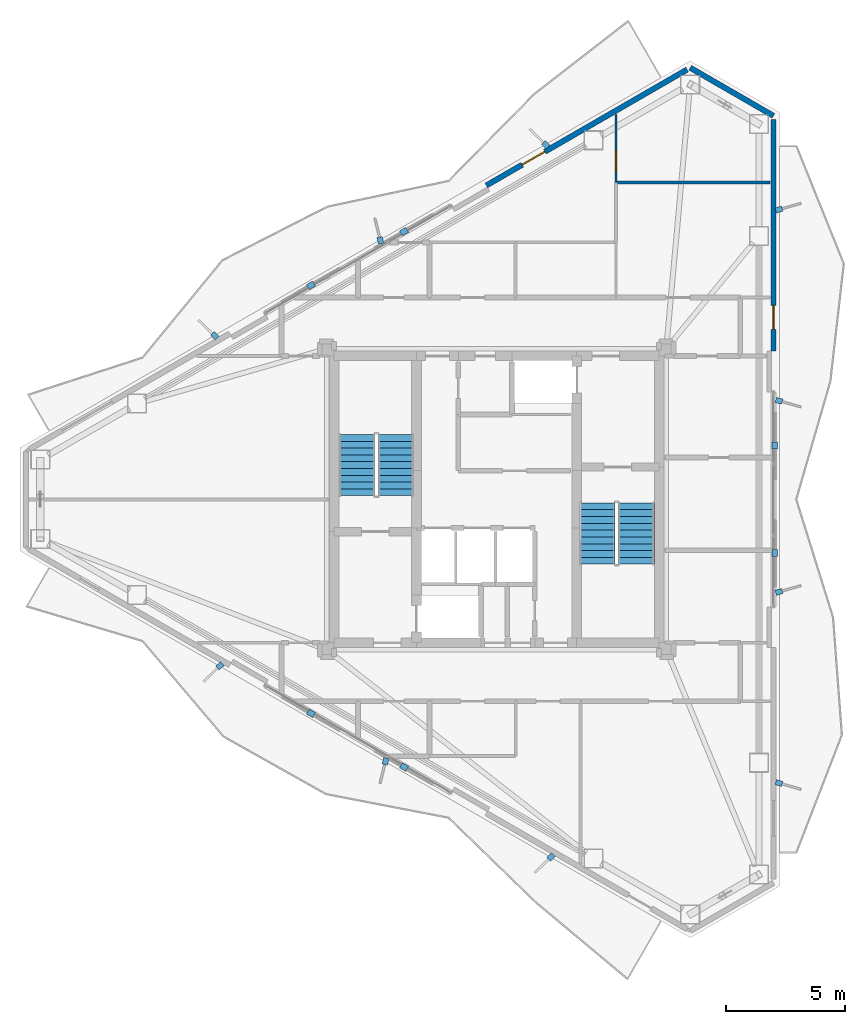
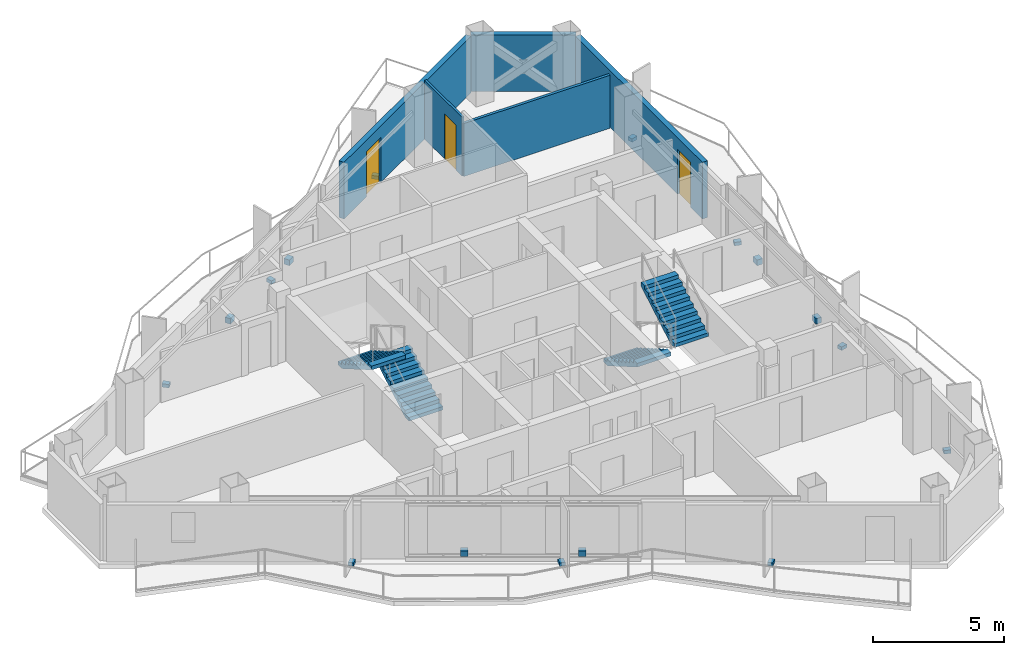
# One storey, part 19 of 21: 16 discrete accessories, 5 walls, 4 stair flights, 3 doors, 3 openings, 2 elements without a shape of their own.
"""IFC4 building model written with IfcOpenShell, lengths in metres."""

from ifc_helpers import new_model, si_unit, direction, frame, frame_2d, origin, origin_2d, place, context, subcontext, project, spatial, polyline, rectangle, outline, extrude, material, layer, layer_set, type_object, element, fill, aggregate, save


model = new_model("IFC4")

# Units and contexts
model_context = context("Model", 3, precision=1e-05, world=origin(), true_north=direction((0.0, 1.0)))
body_context = subcontext(model_context, "Body", "Model", "MODEL_VIEW")
ifc_project = project(units=[si_unit("LENGTHUNIT", "METRE"), si_unit("AREAUNIT", "SQUARE_METRE"), si_unit("VOLUMEUNIT", "CUBIC_METRE"), si_unit("PLANEANGLEUNIT", "RADIAN"), si_unit("MASSUNIT", "GRAM", prefix="KILO")], contexts=[model_context])

# Site, building, storey
site_placement = place(None, origin())
site = spatial("IfcSite", under=ifc_project, at=site_placement, CompositionType="ELEMENT")
building_placement = place(site_placement, origin())
building = spatial("IfcBuilding", under=site, at=building_placement, Name="Mersakhor Tower and Convention Hall", CompositionType="ELEMENT")
storey_placement = place(building_placement, frame((0.0, 0.0, 215.10009765625)))
storey = spatial("IfcBuildingStorey", under=building, at=storey_placement, Name="L60", CompositionType="ELEMENT", Elevation=215.10009765625)

# Wall
ifc_material_1 = material(Name="Precast concrete C40/50", Category="concrete")
ifc_layer_1 = layer(ifc_material_1, 0.22509765625)
ifc_layer_set_1 = layer_set([ifc_layer_1], Name="Precast concrete C40/50")
wall_type_1 = type_object("IfcWallType", Name="WL-EXT-225", PredefinedType="SOLIDWALL", material=ifc_layer_set_1)
wall_1_placement = place(storey_placement, frame((37.10400390625, 44.81005859375, 0.0), z_axis=(0.0, 0.0, 1.0), x_axis=(0.866023907196, -0.500002592159, 0.0)))
element("IfcWall", 1, at=wall_1_placement, inside=storey, type_object=wall_type_1, Name="L60 Chamfer Braced Spandrel Wall C1", PredefinedType="SOLIDWALL", context=body_context, shape_type="SweptSolid", body=[
    extrude(rectangle(XDim=4.0234375, YDim=0.22509765625, at=frame_2d((2.01171875, 0.0))), origin(), (0.0, 0.0, 1.0), 2.639892578125),
])

# Wall, opening, door
wall_2_placement = place(storey_placement, frame((28.57470703125, 39.885498046875, 0.0), z_axis=(0.0, 0.0, 1.0), x_axis=(0.866016233231, 0.500015883528, 0.0)))
wall_2 = element("IfcWall", 2, at=wall_2_placement, inside=storey, type_object=wall_type_1, Name="L60 Exterior Facade Wall F1-B3", PredefinedType="SOLIDWALL", context=body_context, shape_type="SweptSolid", body=[
    extrude(rectangle(XDim=9.698974609375, YDim=0.22509765625, at=frame_2d((4.849609375, 0.0))), origin(), (0.0, 0.0, 1.0), 2.639892578125),
])
opening_1_placement = place(wall_2_placement, frame((1.72998046875, 0.0, 0.0)))
opening_1 = element("IfcOpeningElement", 3, at=opening_1_placement, cuts=wall_2, Name="Opening BD-02", PredefinedType="OPENING", context=body_context, shape_type="SweptSolid", body=[
    extrude(rectangle(XDim=1.10009765625, YDim=2.10009765625, at=frame_2d((0.550048828125, 1.050048828125))), frame((0.0, 0.12255859375, 0.0), z_axis=(0.0, -1.0, 0.0), x_axis=(1.0, 0.0, 0.0)), (0.0, 0.0, 1.0), 0.2451171875),
])
ifc_material_2 = material(Name="Thermally broken dark aluminium and safety glass", Category="aluminium")
door_type_1 = type_object("IfcDoorType", Name="DR-BAL-110x210", OperationType="NOTDEFINED", PredefinedType="DOOR", material=ifc_material_2)
door_1_placement = place(opening_1_placement, origin())
door_1 = element("IfcDoor", 4, at=door_1_placement, inside=storey, type_object=door_type_1, Name="L60 Balcony Terrace Door F1-B3", OperationType="SINGLE_SWING_RIGHT", OverallHeight=2.10009765625, OverallWidth=1.10009765625, PredefinedType="DOOR", context=body_context, shape_type="SweptSolid", body=[
    extrude(rectangle(XDim=1.10009765625, YDim=2.10009765625, at=frame_2d((0.550048828125, 1.050048828125))), frame((0.0, 0.02490234375, 0.0), z_axis=(0.0, -1.0, 0.0), x_axis=(1.0, 0.0, 0.0)), (0.0, 0.0, 1.0), 0.050048828125),
])
fill(opening_1, door_1)

wall_3_placement = place(storey_placement, frame((40.58837890625, 42.6484375, 0.0), z_axis=(0.0, 0.0, 1.0), x_axis=(0.0, -1.0, 0.0)))
wall_3 = element("IfcWall", 5, at=wall_3_placement, inside=storey, type_object=wall_type_1, Name="L60 Exterior Facade Wall F2-B1", PredefinedType="SOLIDWALL", context=body_context, shape_type="SweptSolid", body=[
    extrude(rectangle(XDim=9.698974609375, YDim=0.22509765625, at=frame_2d((4.849609375, 0.0))), origin(), (0.0, 0.0, 1.0), 2.639892578125),
])
opening_2_placement = place(wall_3_placement, frame((7.783935546875, 0.0, 0.0)))
opening_2 = element("IfcOpeningElement", 6, at=opening_2_placement, cuts=wall_3, Name="Opening BD-01", PredefinedType="OPENING", context=body_context, shape_type="SweptSolid", body=[
    extrude(rectangle(XDim=1.0, YDim=2.10009765625, at=frame_2d((0.5, 1.050048828125))), frame((0.0, 0.12255859375, 0.0), z_axis=(0.0, -1.0, 0.0), x_axis=(1.0, 0.0, 0.0)), (0.0, 0.0, 1.0), 0.2451171875),
])
ifc_material_3 = material(Name="Thermally broken dark aluminium and safety glass", Category="aluminium")
door_type_2 = type_object("IfcDoorType", Name="DR-BAL-100x210", OperationType="NOTDEFINED", PredefinedType="DOOR", material=ifc_material_3)
door_2_placement = place(opening_2_placement, origin())
door_2 = element("IfcDoor", 7, at=door_2_placement, inside=storey, type_object=door_type_2, Name="L60 Balcony Terrace Door F2-B1", OperationType="SINGLE_SWING_LEFT", OverallHeight=2.10009765625, OverallWidth=1.0, PredefinedType="DOOR", context=body_context, shape_type="SweptSolid", body=[
    extrude(rectangle(XDim=1.0, YDim=2.10009765625, at=frame_2d((0.5, 1.050048828125))), frame((0.0, 0.02490234375, 0.0), z_axis=(0.0, -1.0, 0.0), x_axis=(1.0, 0.0, 0.0)), (0.0, 0.0, 1.0), 0.050048828125),
])
fill(opening_2, door_2)

ifc_material_4 = material(Name="Lightweight gypsum partition", Category="other")
ifc_layer_2 = layer(ifc_material_4, 0.10009765625)
ifc_layer_set_2 = layer_set([ifc_layer_2], Name="Lightweight gypsum partition")
wall_type_2 = type_object("IfcWallType", Name="WL-PRT-100", PredefinedType="PARTITIONING", material=ifc_layer_set_2)
wall_4_placement = place(storey_placement, frame((34.0, 42.860107421875, 0.0), z_axis=(0.0, 0.0, 1.0), x_axis=(0.0, -1.0, 0.0)))
wall_4 = element("IfcWall", 8, at=wall_4_placement, inside=storey, type_object=wall_type_2, Name="L60 Interior Partition Wall P-066", PredefinedType="PARTITIONING", context=body_context, shape_type="SweptSolid", body=[
    extrude(rectangle(XDim=2.85009765625, YDim=0.10009765625, at=frame_2d((1.425048828125, 0.0))), origin(), (0.0, 0.0, 1.0), 2.74462890625),
])
opening_3_placement = place(wall_4_placement, frame((1.51220703125, 0.0, 0.0)))
opening_3 = element("IfcOpeningElement", 9, at=opening_3_placement, cuts=wall_4, Name="Opening WD-01", PredefinedType="OPENING", context=body_context, shape_type="SweptSolid", body=[
    extrude(rectangle(XDim=0.89990234375, YDim=2.10009765625, at=frame_2d((0.449951171875, 1.050048828125))), frame((0.0, 0.06005859375, 0.0), z_axis=(0.0, -1.0, 0.0), x_axis=(1.0, 0.0, 0.0)), (0.0, 0.0, 1.0), 0.1201171875),
])
ifc_material_5 = material(Name="Solid-core hardwood leaf in painted steel frame", Category="steel")
door_type_3 = type_object("IfcDoorType", Name="DR-INT-WET-090x210", OperationType="NOTDEFINED", PredefinedType="DOOR", material=ifc_material_5)
door_3_placement = place(opening_3_placement, origin())
door_3 = element("IfcDoor", 10, at=door_3_placement, inside=storey, type_object=door_type_3, Name="L60 L60 Floor Residents Study Room 1-3 to L60 Floor Residents Study Room 1-5 Door", OperationType="SINGLE_SWING_LEFT", OverallHeight=2.10009765625, OverallWidth=0.89990234375, PredefinedType="DOOR", context=body_context, shape_type="SweptSolid", body=[
    extrude(rectangle(XDim=0.89990234375, YDim=2.10009765625, at=frame_2d((0.449951171875, 1.050048828125))), frame((0.0, 0.02490234375, 0.0), z_axis=(0.0, -1.0, 0.0), x_axis=(1.0, 0.0, 0.0)), (0.0, 0.0, 1.0), 0.050048828125),
])
fill(opening_3, door_3)

# Wall
ifc_material_6 = material(Name="Gypsum board acoustic partition", Category="other")
ifc_layer_3 = layer(ifc_material_6, 0.125)
ifc_layer_set_3 = layer_set([ifc_layer_3], Name="Gypsum board acoustic partition")
wall_type_3 = type_object("IfcWallType", Name="WL-PRT-125", PredefinedType="PARTITIONING", material=ifc_layer_set_3)
wall_5_placement = place(storey_placement, frame((34.0, 40.010009765625, 0.0), z_axis=(0.0, 0.0, 1.0), x_axis=(1.0, 0.0, 0.0)))
element("IfcWall", 11, at=wall_5_placement, inside=storey, type_object=wall_type_3, Name="L60 Interior Partition Wall P-071", PredefinedType="PARTITIONING", context=body_context, shape_type="SweptSolid", body=[
    extrude(rectangle(XDim=6.451904296875, YDim=0.125, at=frame_2d((3.22607421875, 0.0))), origin(), (0.0, 0.0, 1.0), 2.46826171875),
])

# Stair, stair flights
ifc_material_7 = material(Name="Concrete C45/55", Category="concrete")
stair_type = type_object("IfcStairType", Name="ST-TWR-20R", PredefinedType="HALF_TURN_STAIR", material=ifc_material_7)
stair_1_placement = place(storey_placement, origin())
stair_1 = element("IfcStair", 12, at=stair_1_placement, inside=storey, type_object=stair_type, Name="L60 Tower Protected Exit Stair ST-1", PredefinedType="HALF_TURN_STAIR")
ifc_material_8 = material(Name="Concrete C45/55", Category="concrete")
stair_flight_type = type_object("IfcStairFlightType", Name="SFL-TWR-20R", PredefinedType="STRAIGHT", material=ifc_material_8)
stair_flight_1_placement = place(storey_placement, frame((24.800048828125, 26.89990234375, 0.0), z_axis=(0.0, 0.0, 1.0), x_axis=(0.0, 1.0, 0.0)))
stair_flight_1 = element("IfcStairFlight", 13, at=stair_flight_1_placement, type_object=stair_flight_type, Name="ST-1 flight 1", NumberOfRisers=10, NumberOfTreads=9, PredefinedType="STRAIGHT", RiserHeight=0.165, TreadLength=0.285, context=body_context, shape_type="SweptSolid", body=[
    extrude(outline(polyline([(0.0, 0.0), (0.0, 0.1650390625), (0.284912109375, 0.1650390625), (0.284912109375, 0.330078125), (0.570068359375, 0.330078125), (0.570068359375, 0.4951171875), (0.85498046875, 0.4951171875), (0.85498046875, 0.659912109375), (1.139892578125, 0.659912109375), (1.139892578125, 0.824951171875), (1.425048828125, 0.824951171875), (1.425048828125, 0.989990234375), (1.7099609375, 0.989990234375), (1.7099609375, 1.155029296875), (1.9951171875, 1.155029296875), (1.9951171875, 1.320068359375), (2.280029296875, 1.320068359375), (2.280029296875, 1.485107421875), (2.56494140625, 1.485107421875), (2.56494140625, 1.64990234375), (2.56494140625, 1.311767578125), (0.299072265625, 0.0), (0.0, 0.0)])), frame((0.0, 0.75, 0.0), z_axis=(0.0, -1.0, 0.0), x_axis=(1.0, 0.0, 0.0)), (0.0, 0.0, 1.0), 1.5),
])
stair_flight_2_placement = place(storey_placement, frame((23.14990234375, 29.465087890625, 1.64990234375), z_axis=(0.0, 0.0, 1.0), x_axis=(0.0, -1.0, 0.0)))
stair_flight_2 = element("IfcStairFlight", 14, at=stair_flight_2_placement, type_object=stair_flight_type, Name="ST-1 flight 2", NumberOfRisers=10, NumberOfTreads=9, PredefinedType="STRAIGHT", RiserHeight=0.165, TreadLength=0.285, context=body_context, shape_type="SweptSolid", body=[
    extrude(outline(polyline([(0.0, 0.0), (0.0, 0.1650390625), (0.284912109375, 0.1650390625), (0.284912109375, 0.330078125), (0.570068359375, 0.330078125), (0.570068359375, 0.4951171875), (0.85498046875, 0.4951171875), (0.85498046875, 0.659912109375), (1.139892578125, 0.659912109375), (1.139892578125, 0.824951171875), (1.425048828125, 0.824951171875), (1.425048828125, 0.989990234375), (1.7099609375, 0.989990234375), (1.7099609375, 1.155029296875), (1.9951171875, 1.155029296875), (1.9951171875, 1.320068359375), (2.280029296875, 1.320068359375), (2.280029296875, 1.485107421875), (2.56494140625, 1.485107421875), (2.56494140625, 1.64990234375), (2.56494140625, 1.311767578125), (0.299072265625, 0.0), (0.0, 0.0)])), frame((0.0, 0.75, 0.0), z_axis=(0.0, -1.0, 0.0), x_axis=(1.0, 0.0, 0.0)), (0.0, 0.0, 1.0), 1.5),
])
aggregate(stair_1, [stair_flight_1, stair_flight_2])

stair_2_placement = place(storey_placement, origin())
stair_2 = element("IfcStair", 15, at=stair_2_placement, inside=storey, type_object=stair_type, Name="L60 Tower Protected Exit Stair ST-2", PredefinedType="HALF_TURN_STAIR")
stair_flight_3_placement = place(storey_placement, frame((33.199951171875, 26.60009765625, 0.0), z_axis=(0.0, 0.0, 1.0), x_axis=(0.0, -1.0, 0.0)))
stair_flight_3 = element("IfcStairFlight", 16, at=stair_flight_3_placement, type_object=stair_flight_type, Name="ST-2 flight 1", NumberOfRisers=10, NumberOfTreads=9, PredefinedType="STRAIGHT", RiserHeight=0.165, TreadLength=0.285, context=body_context, shape_type="SweptSolid", body=[
    extrude(outline(polyline([(0.0, 0.0), (0.0, 0.1650390625), (0.284912109375, 0.1650390625), (0.284912109375, 0.330078125), (0.570068359375, 0.330078125), (0.570068359375, 0.4951171875), (0.85498046875, 0.4951171875), (0.85498046875, 0.659912109375), (1.139892578125, 0.659912109375), (1.139892578125, 0.824951171875), (1.425048828125, 0.824951171875), (1.425048828125, 0.989990234375), (1.7099609375, 0.989990234375), (1.7099609375, 1.155029296875), (1.9951171875, 1.155029296875), (1.9951171875, 1.320068359375), (2.280029296875, 1.320068359375), (2.280029296875, 1.485107421875), (2.56494140625, 1.485107421875), (2.56494140625, 1.64990234375), (2.56494140625, 1.311767578125), (0.299072265625, 0.0), (0.0, 0.0)])), frame((0.0, 0.75, 0.0), z_axis=(0.0, -1.0, 0.0), x_axis=(1.0, 0.0, 0.0)), (0.0, 0.0, 1.0), 1.5),
])
stair_flight_4_placement = place(storey_placement, frame((34.85009765625, 24.034912109375, 1.64990234375), z_axis=(0.0, 0.0, 1.0), x_axis=(0.0, 1.0, 0.0)))
stair_flight_4 = element("IfcStairFlight", 17, at=stair_flight_4_placement, type_object=stair_flight_type, Name="ST-2 flight 2", NumberOfRisers=10, NumberOfTreads=9, PredefinedType="STRAIGHT", RiserHeight=0.165, TreadLength=0.285, context=body_context, shape_type="SweptSolid", body=[
    extrude(outline(polyline([(0.0, 0.0), (0.0, 0.1650390625), (0.284912109375, 0.1650390625), (0.284912109375, 0.330078125), (0.570068359375, 0.330078125), (0.570068359375, 0.4951171875), (0.85498046875, 0.4951171875), (0.85498046875, 0.659912109375), (1.139892578125, 0.659912109375), (1.139892578125, 0.824951171875), (1.425048828125, 0.824951171875), (1.425048828125, 0.989990234375), (1.7099609375, 0.989990234375), (1.7099609375, 1.155029296875), (1.9951171875, 1.155029296875), (1.9951171875, 1.320068359375), (2.280029296875, 1.320068359375), (2.280029296875, 1.485107421875), (2.56494140625, 1.485107421875), (2.56494140625, 1.64990234375), (2.56494140625, 1.311767578125), (0.299072265625, 0.0), (0.0, 0.0)])), frame((0.0, 0.75, 0.0), z_axis=(0.0, -1.0, 0.0), x_axis=(1.0, 0.0, 0.0)), (0.0, 0.0, 1.0), 1.5),
])
aggregate(stair_2, [stair_flight_3, stair_flight_4])

# Discrete accessories
ifc_material_9 = material(Name="Galvanised steel bracket", Category="steel")
ifc_layer_4 = layer(ifc_material_9, 0.02001953125)
ifc_layer_set_4 = layer_set([ifc_layer_4], Name="Galvanised steel bracket")
discrete_accessory_type = type_object("IfcDiscreteAccessoryType", Name="ACC-BRK-STL", PredefinedType="BRACKET", material=ifc_layer_set_4)
for number, where, z_axis, x_axis, name in (
    (18, (21.232421875, 35.704345703125, 0.2900390625), (0.0, 0.0, 1.0), (0.866025403784, 0.5, 0.0), "L60 Solar Screen Outrigger Bracket BRK-1-1"),
    (19, (25.129150390625, 37.9541015625, 0.2900390625), (0.0, 0.0, 1.0), (0.866025403784, 0.5, 0.0), "L60 Solar Screen Outrigger Bracket BRK-1-2"),
):
    element("IfcDiscreteAccessory", number, at=place(storey_placement, frame(where, z_axis=z_axis, x_axis=x_axis)), inside=storey, type_object=discrete_accessory_type, Name=name, PredefinedType="BRACKET", context=body_context, shape_type="SweptSolid", body=[
        extrude(rectangle(XDim=0.300048828125, YDim=0.239990234375, at=origin_2d()), origin(), (0.0, 0.0, 1.0), 0.260009765625),
    ])
for number, where, z_axis, x_axis, name in (
    (20, (17.2080078125, 33.588623046875, -0.02001953125), (0.0, 0.0, 1.0), (-0.719339800339, 0.694658370459, 0.0), "L60 Facade Fin Base Cleat Bracket FBRK-1-1"),
    (21, (24.13623046875, 37.588623046875, -0.02001953125), (0.0, 0.0, 1.0), (-0.2419218956, 0.970295726276, 0.0), "L60 Facade Fin Base Cleat Bracket FBRK-1-2"),
    (22, (31.064453125, 41.588623046875, -0.02001953125), (0.0, 0.0, 1.0), (-0.719339800339, 0.694658370459, 0.0), "L60 Facade Fin Base Cleat Bracket FBRK-1-3"),
):
    element("IfcDiscreteAccessory", number, at=place(storey_placement, frame(where, z_axis=z_axis, x_axis=x_axis)), inside=storey, type_object=discrete_accessory_type, Name=name, PredefinedType="BRACKET", context=body_context, shape_type="SweptSolid", body=[
        extrude(rectangle(XDim=0.280029296875, YDim=0.219970703125, at=origin_2d()), origin(), (0.0, 0.0, 1.0), 0.159912109375),
    ])
for number, where, z_axis, x_axis, name in (
    (23, (40.638427734375, 28.999755859375, 0.2900390625), (0.0, 0.0, 1.0), (0.0, -1.0, 0.0), "L60 Solar Screen Outrigger Bracket BRK-2-1"),
    (24, (40.638427734375, 24.500244140625, 0.2900390625), (0.0, 0.0, 1.0), (0.0, -1.0, 0.0), "L60 Solar Screen Outrigger Bracket BRK-2-2"),
):
    element("IfcDiscreteAccessory", number, at=place(storey_placement, frame(where, z_axis=z_axis, x_axis=x_axis)), inside=storey, type_object=discrete_accessory_type, Name=name, PredefinedType="BRACKET", context=body_context, shape_type="SweptSolid", body=[
        extrude(rectangle(XDim=0.300048828125, YDim=0.239990234375, at=origin_2d()), origin(), (0.0, 0.0, 1.0), 0.260009765625),
    ])
for number, where, z_axis, x_axis, name in (
    (25, (40.818359375, 38.8759765625, -0.02001953125), (0.0, 0.0, 1.0), (0.961261695938, 0.275637355817, 0.0), "L60 Facade Fin Base Cleat Bracket FBRK-2-1"),
    (26, (40.818359375, 30.8759765625, -0.02001953125), (0.0, 0.0, 1.0), (0.961261695938, -0.275637355817, 0.0), "L60 Facade Fin Base Cleat Bracket FBRK-2-2"),
    (27, (40.818359375, 22.8759765625, -0.02001953125), (0.0, 0.0, 1.0), (0.961261695938, 0.275637355817, 0.0), "L60 Facade Fin Base Cleat Bracket FBRK-2-3"),
    (28, (40.818359375, 14.8759765625, -0.02001953125), (0.0, 0.0, 1.0), (0.961261695938, -0.275637355817, 0.0), "L60 Facade Fin Base Cleat Bracket FBRK-2-4"),
):
    element("IfcDiscreteAccessory", number, at=place(storey_placement, frame(where, z_axis=z_axis, x_axis=x_axis)), inside=storey, type_object=discrete_accessory_type, Name=name, PredefinedType="BRACKET", context=body_context, shape_type="SweptSolid", body=[
        extrude(rectangle(XDim=0.280029296875, YDim=0.219970703125, at=origin_2d()), origin(), (0.0, 0.0, 1.0), 0.159912109375),
    ])
for number, where, z_axis, x_axis, name in (
    (29, (25.129150390625, 15.5458984375, 0.2900390625), (0.0, 0.0, 1.0), (-0.866025403784, 0.5, 0.0), "L60 Solar Screen Outrigger Bracket BRK-3-1"),
    (30, (21.232421875, 17.795654296875, 0.2900390625), (0.0, 0.0, 1.0), (-0.866025403784, 0.5, 0.0), "L60 Solar Screen Outrigger Bracket BRK-3-2"),
):
    element("IfcDiscreteAccessory", number, at=place(storey_placement, frame(where, z_axis=z_axis, x_axis=x_axis)), inside=storey, type_object=discrete_accessory_type, Name=name, PredefinedType="BRACKET", context=body_context, shape_type="SweptSolid", body=[
        extrude(rectangle(XDim=0.300048828125, YDim=0.239990234375, at=origin_2d()), origin(), (0.0, 0.0, 1.0), 0.260009765625),
    ])
for number, where, z_axis, x_axis, name in (
    (31, (31.282958984375, 11.785400390625, -0.02001953125), (0.0, 0.0, 1.0), (-0.719339800339, -0.694658370459, 0.0), "L60 Facade Fin Base Cleat Bracket FBRK-3-1"),
    (32, (24.354736328125, 15.785400390625, -0.02001953125), (0.0, 0.0, 1.0), (-0.2419218956, -0.970295726276, 0.0), "L60 Facade Fin Base Cleat Bracket FBRK-3-2"),
    (33, (17.426513671875, 19.785400390625, -0.02001953125), (0.0, 0.0, 1.0), (-0.719339800339, -0.694658370459, 0.0), "L60 Facade Fin Base Cleat Bracket FBRK-3-3"),
):
    element("IfcDiscreteAccessory", number, at=place(storey_placement, frame(where, z_axis=z_axis, x_axis=x_axis)), inside=storey, type_object=discrete_accessory_type, Name=name, PredefinedType="BRACKET", context=body_context, shape_type="SweptSolid", body=[
        extrude(rectangle(XDim=0.280029296875, YDim=0.219970703125, at=origin_2d()), origin(), (0.0, 0.0, 1.0), 0.159912109375),
    ])

save(model, "model.ifc")
